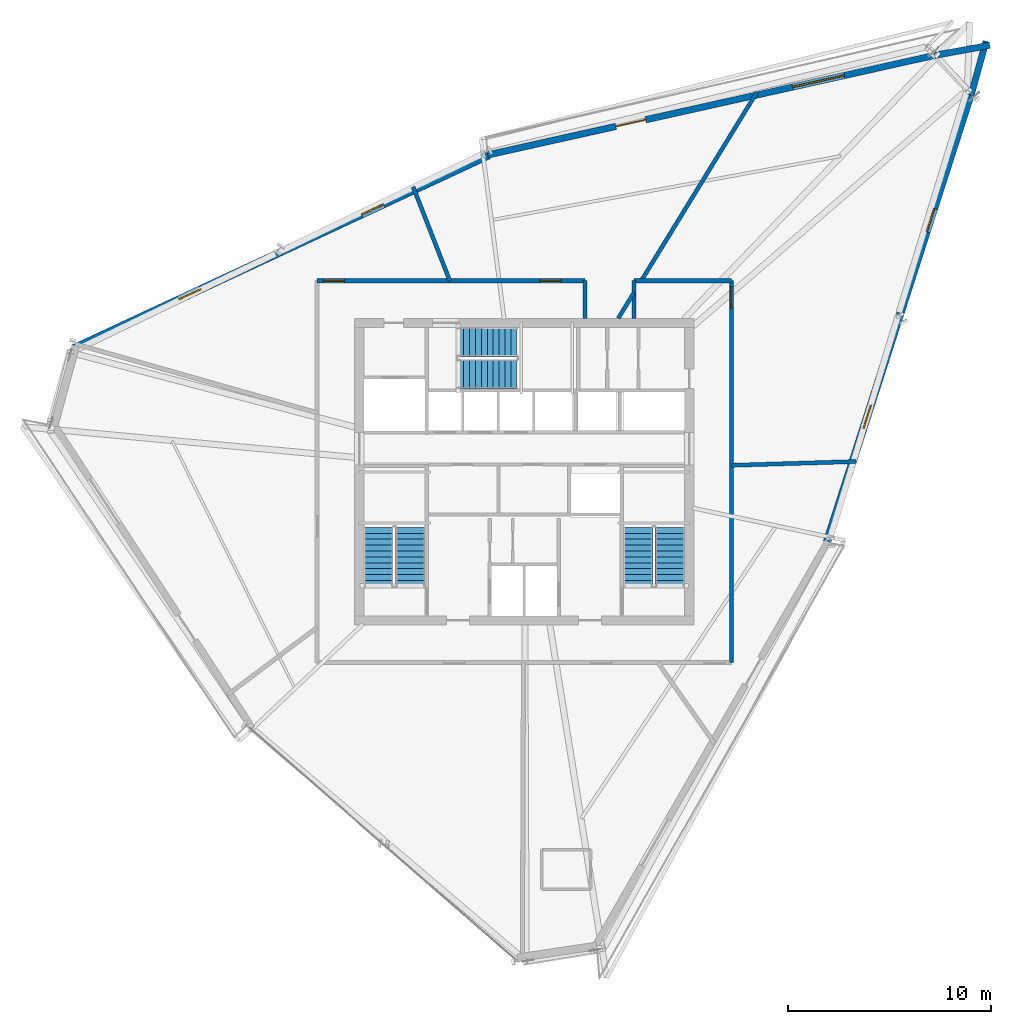
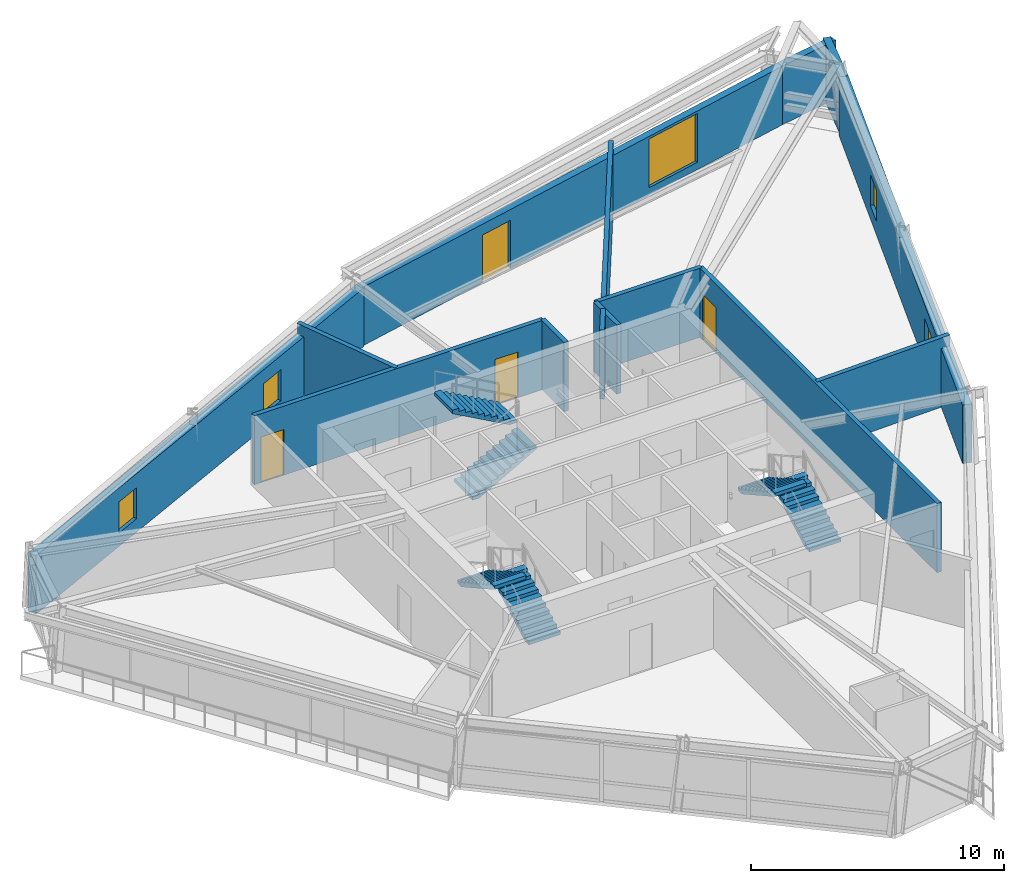
# One storey, part 10 of 13: 14 walls, 6 stair flights, 5 windows, 4 doors, 9 openings, 3 elements without a shape of their own.
"""IFC4 building model written with IfcOpenShell, lengths in metres."""

import ifcopenshell
import ifcopenshell.guid

model = None  # the IFC model being written
_history = None  # IfcOwnerHistory: only IFC2X3 demands one
_inside = {}  # id of a spatial element -> (the spatial element, [elements in it])
_under = {}  # id of a project, library or spatial element -> (it, [spatial elements below it])
_declared = {}  # id of a project -> (the project, [libraries it declares])
_typed = {}  # id of a type object -> (the type object, [elements of that type])
_made_of = {}  # id of a material, layer set ... -> (it, [elements and type objects made of it])


def new_model(schema):
    """Start an empty IFC model of exactly this schema.

    Asked for "IFC4X3", IfcOpenShell would pick the latest addendum, in which some entities
    have other attributes; the version numbers below select the first issue.
    IFC2X3 requires an IfcOwnerHistory on every rooted entity: one is made here for all.
    """
    global model, _history
    if schema == "IFC4X3":
        model = ifcopenshell.file(schema_version=(4, 3, 0, 0))
    else:
        model = ifcopenshell.file(schema=schema)
    _inside.clear()
    _under.clear()
    _declared.clear()
    _typed.clear()
    _made_of.clear()
    _history = None
    if model.schema == "IFC2X3":
        org = make("IfcOrganization", Name="unknown")
        user = make(
            "IfcPersonAndOrganization",
            ThePerson=make("IfcPerson", FamilyName="unknown"),
            TheOrganization=org,
        )
        app = make(
            "IfcApplication",
            ApplicationDeveloper=org,
            Version="unknown",
            ApplicationFullName="unknown",
            ApplicationIdentifier="unknown",
        )
        _history = make(
            "IfcOwnerHistory",
            OwningUser=user,
            OwningApplication=app,
            ChangeAction="ADDED",
            CreationDate=0,
        )
    return model


def make(cls, **values):
    """One entity of the class cls with the attributes given. An attribute that is None is left unset."""
    return model.create_entity(
        cls, **{name: value for name, value in values.items() if value is not None}
    )


def rooted(cls, **values):
    """An entity with a GlobalId (a new one), such as an element, a storey or a relation."""
    return make(cls, GlobalId=ifcopenshell.guid.new(), OwnerHistory=_history, **values)


def si_unit(unit_type, name, prefix=None):
    """IfcSIUnit, for example si_unit("LENGTHUNIT", "METRE", prefix="MILLI")."""
    return make("IfcSIUnit", UnitType=unit_type, Prefix=prefix, Name=name)


def assignment(units):
    """IfcUnitAssignment: the units of a project."""
    return None if units is None else make("IfcUnitAssignment", Units=units)


def point(xyz):
    """IfcCartesianPoint."""
    return None if xyz is None else make("IfcCartesianPoint", Coordinates=xyz)


def direction(xyz):
    """IfcDirection."""
    return None if xyz is None else make("IfcDirection", DirectionRatios=xyz)


def frame(location, z_axis=None, x_axis=None):
    """IfcAxis2Placement3D, a coordinate frame: its origin and axes. An axis left out is left unset."""
    return make(
        "IfcAxis2Placement3D",
        Location=point(location),
        Axis=direction(z_axis),
        RefDirection=direction(x_axis),
    )


def frame_2d(location, x_axis=None):
    """IfcAxis2Placement2D, a coordinate frame in the plane: its origin and x axis."""
    return make(
        "IfcAxis2Placement2D", Location=point(location), RefDirection=direction(x_axis)
    )


def origin():
    """The frame at (0, 0, 0) with its axes left unset."""
    return frame((0.0, 0.0, 0.0))


def place(relative_to, where):
    """IfcLocalPlacement: puts the frame where relative to a parent placement (None: the world)."""
    return make(
        "IfcLocalPlacement", PlacementRelTo=relative_to, RelativePlacement=where
    )


def context(
    kind, dimensions, precision=None, world=None, true_north=None, identifier=None
):
    """IfcGeometricRepresentationContext, for example the 3D "Model" context."""
    return make(
        "IfcGeometricRepresentationContext",
        ContextIdentifier=identifier,
        ContextType=kind,
        CoordinateSpaceDimension=dimensions,
        Precision=precision,
        WorldCoordinateSystem=world,
        TrueNorth=true_north,
    )


def subcontext(parent, identifier, kind, view, scale=None):
    """IfcGeometricRepresentationSubContext, for example "Body" below "Model"."""
    return make(
        "IfcGeometricRepresentationSubContext",
        ContextIdentifier=identifier,
        ContextType=kind,
        ParentContext=parent,
        TargetScale=scale,
        TargetView=view,
    )


def project(units=None, contexts=None):
    """IfcProject with its units and contexts."""
    return rooted(
        "IfcProject",
        Name="project",
        RepresentationContexts=contexts,
        UnitsInContext=assignment(units),
    )


def spatial(cls, under=None, at=None, **own):
    """A site, building, storey or space (cls), placed at a placement, below another one or the project."""
    s = rooted(cls, ObjectPlacement=at, **own)
    if under is not None:
        _under.setdefault(under.id(), (under, []))[1].append(s)
    return s


def polyline(points):
    """IfcPolyline through the points."""
    return make("IfcPolyline", Points=[point(p) for p in points])


def profile(cls, at=None, kind="AREA", **sizes):
    """A parametric profile (cls). Its sizes go by their IFC names, for example OverallWidth=200.0."""
    return make(cls, ProfileType=kind, Position=at, **sizes)


def rectangle(**sizes):
    """IfcRectangleProfileDef."""
    return profile("IfcRectangleProfileDef", **sizes)


def outline(outer, holes=None, kind="AREA"):
    """IfcArbitraryClosedProfileDef: a profile drawn as a closed curve; with holes, ...WithVoids."""
    if holes is None:
        return make("IfcArbitraryClosedProfileDef", ProfileType=kind, OuterCurve=outer)
    return make(
        "IfcArbitraryProfileDefWithVoids",
        ProfileType=kind,
        OuterCurve=outer,
        InnerCurves=holes,
    )


def extrude(swept, where, along, depth):
    """IfcExtrudedAreaSolid: the profile swept, set in the frame where, extruded along a direction by depth."""
    return make(
        "IfcExtrudedAreaSolid",
        SweptArea=swept,
        Position=where,
        ExtrudedDirection=direction(along),
        Depth=depth,
    )


def shape(context_of_items, identifier, shape_type, items):
    """IfcShapeRepresentation: the items that make up one representation, for example the "Body"."""
    return make(
        "IfcShapeRepresentation",
        ContextOfItems=context_of_items,
        RepresentationIdentifier=identifier,
        RepresentationType=shape_type,
        Items=items,
    )


def source(mapping_origin, context_of_items, identifier, shape_type, items):
    """IfcRepresentationMap: a shape defined once, which mapped items show again and again."""
    return make(
        "IfcRepresentationMap",
        MappingOrigin=mapping_origin,
        MappedRepresentation=shape(context_of_items, identifier, shape_type, items),
    )


def transform(
    local_origin,
    x_axis=None,
    y_axis=None,
    z_axis=None,
    scale=None,
    scale2=None,
    scale3=None,
    uniform=True,
):
    """IfcCartesianTransformationOperator3D, or its non-uniform kind. x_axis, y_axis, z_axis: its Axis1, 2, 3."""
    if uniform:
        return make(
            "IfcCartesianTransformationOperator3D",
            Axis1=direction(x_axis),
            Axis2=direction(y_axis),
            LocalOrigin=point(local_origin),
            Scale=scale,
            Axis3=direction(z_axis),
        )
    return make(
        "IfcCartesianTransformationOperator3DnonUniform",
        Axis1=direction(x_axis),
        Axis2=direction(y_axis),
        LocalOrigin=point(local_origin),
        Scale=scale,
        Axis3=direction(z_axis),
        Scale2=scale2,
        Scale3=scale3,
    )


def mapped(mapping_source, mapping_target):
    """IfcMappedItem: shows the shape of a source again, moved by a transform."""
    return make(
        "IfcMappedItem", MappingSource=mapping_source, MappingTarget=mapping_target
    )


def material(Name=None, Category=None):
    """IfcMaterial."""
    return make("IfcMaterial", Name=Name, Category=Category)


def layer(
    of_material, thickness, ventilated=None, Name=None, Category=None, Priority=None
):
    """IfcMaterialLayer: one layer of a wall or slab, of a material (None: an air gap)."""
    return make(
        "IfcMaterialLayer",
        Material=of_material,
        LayerThickness=thickness,
        IsVentilated=ventilated,
        Name=Name,
        Category=Category,
        Priority=Priority,
    )


def layer_set(layers, Name=None):
    """IfcMaterialLayerSet."""
    return make("IfcMaterialLayerSet", MaterialLayers=layers, LayerSetName=Name)


def made_of(thing, what):
    """Note that an element or type object is made of a material, layer set ...; save() writes the relation."""
    if what is not None:
        _made_of.setdefault(what.id(), (what, []))[1].append(thing)
    return thing


def type_object(cls, material=None, **own):
    """A type object (cls), such as IfcWallType, which elements share."""
    return made_of(rooted(cls, **own), material)


def type_shapes(of_type, sources):
    """Give a type object the sources (RepresentationMaps) that its elements show as mapped items."""
    of_type.RepresentationMaps = sources


def element(
    cls,
    number,
    at=None,
    inside=None,
    cuts=None,
    type_object=None,
    material=None,
    context=None,
    identifier="Body",
    shape_type=None,
    held_by="IfcProductDefinitionShape",
    body=None,
    shapes=None,
    **own,
):
    """One element of the class cls, such as IfcWall. Its Tag is "e" and its number.

    at: its placement. inside: the storey or other place that contains it. cuts: it is an
    opening in that element (IfcRelVoidsElement). A single representation is given by context,
    identifier, shape_type and body (its items); several are given by shapes. held_by: the class
    of the entity that holds the representations. save() writes the other relations.
    """
    e = rooted(cls, Tag="e%d" % number, ObjectPlacement=at, **own)
    if body is not None:
        shapes = [shape(context, identifier, shape_type, body)]
    if shapes is not None:
        e.Representation = make(held_by, Representations=shapes)
    if inside is not None:
        _inside.setdefault(inside.id(), (inside, []))[1].append(e)
    if cuts is not None:
        rooted(
            "IfcRelVoidsElement", RelatingBuildingElement=cuts, RelatedOpeningElement=e
        )
    if type_object is not None:
        _typed.setdefault(type_object.id(), (type_object, []))[1].append(e)
    return made_of(e, material)


def fill(opening, filler):
    """IfcRelFillsElement: the door or window that sits in an opening."""
    return rooted(
        "IfcRelFillsElement",
        RelatingOpeningElement=opening,
        RelatedBuildingElement=filler,
    )


def aggregate(whole, parts):
    """IfcRelAggregates: a whole, such as a stair, and the parts it consists of."""
    return rooted("IfcRelAggregates", RelatingObject=whole, RelatedObjects=parts)


def save(model, path):
    """Write the relations noted so far, then the file.

    IfcRelAggregates (storeys below a building ...), IfcRelContainedInSpatialStructure (elements
    in a storey), IfcRelDefinesByType, IfcRelAssociatesMaterial and IfcRelDeclares: one each for
    every whole, place, type object, material and project.
    """
    for whole, parts in _under.values():
        aggregate(whole, parts)
    for where, things in _inside.values():
        rooted(
            "IfcRelContainedInSpatialStructure",
            RelatedElements=things,
            RelatingStructure=where,
        )
    for kind, things in _typed.values():
        rooted("IfcRelDefinesByType", RelatedObjects=things, RelatingType=kind)
    for what, things in _made_of.values():
        rooted("IfcRelAssociatesMaterial", RelatedObjects=things, RelatingMaterial=what)
    for by, libraries in _declared.values():
        rooted("IfcRelDeclares", RelatingContext=by, RelatedDefinitions=libraries)
    model.write(path)


model = new_model("IFC4")

# Units and contexts
model_context = context("Model", 3, precision=1e-05, world=origin(), true_north=direction((0.0, 1.0)))
body_context = subcontext(model_context, "Body", "Model", "MODEL_VIEW")
ifc_project = project(units=[si_unit("LENGTHUNIT", "METRE"), si_unit("AREAUNIT", "SQUARE_METRE"), si_unit("VOLUMEUNIT", "CUBIC_METRE"), si_unit("PLANEANGLEUNIT", "RADIAN"), si_unit("MASSUNIT", "GRAM", prefix="KILO")], contexts=[model_context])

# Site, building, storey
site_placement = place(None, origin())
site = spatial("IfcSite", under=ifc_project, at=site_placement, CompositionType="ELEMENT")
building_placement = place(site_placement, origin())
building = spatial("IfcBuilding", under=site, at=building_placement, Name="Olszyna Solenne Hotel", CompositionType="ELEMENT")
storey_placement = place(building_placement, frame((0.0, 0.0, 209.60009765625)))
storey = spatial("IfcBuildingStorey", under=building, at=storey_placement, Name="L55", CompositionType="ELEMENT", Elevation=209.60009765625)

# Wall, openings, door, window
ifc_material_1 = material(Name="Precast concrete C45/55", Category="concrete")
ifc_layer_1 = layer(ifc_material_1, 0.320068359375, Name="Precast concrete C45/55")
ifc_layer_set_1 = layer_set([ifc_layer_1], Name="Precast concrete C45/55")
wall_type_1 = type_object("IfcWallType", Name="WL-EX320", PredefinedType="SOLIDWALL", material=ifc_layer_set_1)
wall_1_placement = place(storey_placement, frame((36.204833984375, 42.193359375, 0.0), z_axis=(0.0, 0.0, 1.0), x_axis=(0.976051796761, 0.217538249599, 0.0)))
wall_1 = element("IfcWall", 1, at=wall_1_placement, inside=storey, type_object=wall_type_1, Name="Exterior terracotta-precast frame wall WL-EX320 EW-L55-07", PredefinedType="SOLIDWALL", context=body_context, shape_type="SweptSolid", body=[
    extrude(rectangle(XDim=22.5400390625, YDim=0.320068359375, at=frame_2d((11.27001953125, 0.0))), origin(), (0.0, 0.0, 1.0), 2.822021484375),
])
opening_1_placement = place(wall_1_placement, frame((6.462890625, 0.0, 0.0)))
opening_1 = element("IfcOpeningElement", 2, at=opening_1_placement, cuts=wall_1, Name="Opening LDG-L55-1", PredefinedType="OPENING", context=body_context, shape_type="SweptSolid", body=[
    extrude(rectangle(XDim=1.5, YDim=2.300048828125, at=frame_2d((0.75, 1.14990234375))), frame((0.0, 0.169921875, 0.0), z_axis=(0.0, -1.0, 0.0), x_axis=(1.0, 0.0, 0.0)), (0.0, 0.0, 1.0), 0.340087890625),
])
opening_2_placement = place(wall_1_placement, frame((15.3798828125, 0.0, 0.35205078125)))
opening_2 = element("IfcOpeningElement", 3, at=opening_2_placement, cuts=wall_1, Name="Opening WN-L55-354", PredefinedType="OPENING", context=body_context, shape_type="SweptSolid", body=[
    extrude(rectangle(XDim=2.60009765625, YDim=2.35009765625, at=frame_2d((1.300048828125, 1.175048828125))), frame((0.0, 0.169921875, 0.0), z_axis=(0.0, -1.0, 0.0), x_axis=(1.0, 0.0, 0.0)), (0.0, 0.0, 1.0), 0.340087890625),
])
ifc_material_2 = material(Name="Anodised bronze aluminium", Category="aluminium")
door_type_1 = type_object("IfcDoorType", Name="DR-LG2", OperationType="DOUBLE_DOOR_SINGLE_SWING", PredefinedType="DOOR", material=ifc_material_2)
shared_shape_1 = source(origin(), body_context, "Body", "SweptSolid", [
    extrude(rectangle(XDim=1.5, YDim=2.300048828125, at=frame_2d((0.75, 1.14990234375))), frame((0.0, 0.02490234375, 0.0), z_axis=(0.0, -1.0, 0.0), x_axis=(1.0, 0.0, 0.0)), (0.0, 0.0, 1.0), 0.050048828125),
])
type_shapes(door_type_1, [shared_shape_1])
door_1_placement = place(opening_1_placement, origin())
door_1 = element("IfcDoor", 4, at=door_1_placement, inside=storey, type_object=door_type_1, Name="Exterior loggia balcony door DR-LG2 LDG-L55-1", OperationType="DOUBLE_DOOR_SINGLE_SWING", OverallHeight=2.300048828125, OverallWidth=1.5, PredefinedType="DOOR", context=body_context, shape_type="MappedRepresentation", body=[
    mapped(shared_shape_1, transform((0.0, 0.0, 0.0), x_axis=(1.0, 0.0, 0.0), y_axis=(0.0, 1.0, 0.0), z_axis=(0.0, 0.0, 1.0), scale=1.0)),
])
fill(opening_1, door_1)
ifc_material_3 = material(Name="Low-E triple glazing", Category="glass")
window_type_1 = type_object("IfcWindowType", Name="WN-ST1", PartitioningType="SINGLE_PANEL", PredefinedType="WINDOW", material=ifc_material_3)
shared_shape_2 = source(origin(), body_context, "Body", "SweptSolid", [
    extrude(rectangle(XDim=2.60009765625, YDim=2.35009765625, at=frame_2d((1.300048828125, 1.175048828125))), frame((0.0, 0.030029296875, 0.0), z_axis=(0.0, -1.0, 0.0), x_axis=(1.0, 0.0, 0.0)), (0.0, 0.0, 1.0), 0.06005859375),
])
type_shapes(window_type_1, [shared_shape_2])
window_1_placement = place(opening_2_placement, origin())
window_1 = element("IfcWindow", 5, at=window_1_placement, inside=storey, type_object=window_type_1, Name="Loggia room window WN-ST1 WN-L55-354", OverallHeight=2.35009765625, OverallWidth=2.60009765625, PartitioningType="SINGLE_PANEL", PredefinedType="WINDOW", context=body_context, shape_type="MappedRepresentation", body=[
    mapped(shared_shape_2, transform((0.0, 0.0, 0.0), x_axis=(1.0, 0.0, 0.0), y_axis=(0.0, 1.0, 0.0), z_axis=(0.0, 0.0, 1.0), scale=1.0)),
])
fill(opening_2, window_1)

# Walls
for number, where, z_axis, x_axis, name in (
    (6, (58.198974609375, 47.095703125, 0.0), (0.0, 0.0, 1.0), (0.983665053962, 0.180008504282, 0.0), "Exterior terracotta-precast frame wall WL-EX320 EW-L55-08"),
    (7, (60.744140625, 47.794921875, 0.0), (0.0, 0.0, 1.0), (-0.26671305421, -0.963775983678, 0.0), "Exterior terracotta-precast frame wall WL-EX320 EW-L55-09"),
):
    element("IfcWall", number, at=place(storey_placement, frame(where, z_axis=z_axis, x_axis=x_axis)), inside=storey, type_object=wall_type_1, Name=name, PredefinedType="SOLIDWALL", context=body_context, shape_type="SweptSolid", body=[
        extrude(rectangle(XDim=2.773681640625, YDim=0.320068359375, at=frame_2d((1.38671875, 0.0))), origin(), (0.0, 0.0, 1.0), 2.822021484375),
    ])

# Wall, openings, windows
ifc_material_4 = material(Name="Terracotta cladding on precast concrete C45/55", Category="masonry")
ifc_layer_2 = layer(ifc_material_4, 0.3798828125, Name="Terracotta cladding on precast concrete C45/55")
ifc_layer_set_2 = layer_set([ifc_layer_2], Name="Terracotta cladding on precast concrete C45/55")
wall_type_2 = type_object("IfcWallType", Name="WL-EX380", PredefinedType="SOLIDWALL", material=ifc_layer_set_2)
wall_2_placement = place(storey_placement, frame((15.8125, 32.672119140625, 0.0), z_axis=(0.0, 0.0, 1.0), x_axis=(0.906732766682, 0.421705691003, 0.0)))
wall_2 = element("IfcWall", 8, at=wall_2_placement, inside=storey, type_object=wall_type_2, Name="Exterior terracotta-precast frame wall WL-EX380 EW-L55-06", PredefinedType="SOLIDWALL", context=body_context, shape_type="SweptSolid", body=[
    extrude(rectangle(XDim=22.539794921875, YDim=0.3798828125, at=frame_2d((11.27001953125, 0.0))), origin(), (0.0, 0.0, 1.0), 2.822021484375),
])
opening_3_placement = place(wall_2_placement, frame((5.7109375, 0.0, 0.64990234375)))
opening_3 = element("IfcOpeningElement", 9, at=opening_3_placement, cuts=wall_2, Name="Opening WN-L55-352", PredefinedType="OPENING", context=body_context, shape_type="SweptSolid", body=[
    extrude(rectangle(XDim=1.199951171875, YDim=1.5, at=frame_2d((0.60009765625, 0.75))), frame((0.0, 0.199951171875, 0.0), z_axis=(0.0, -1.0, 0.0), x_axis=(1.0, 0.0, 0.0)), (0.0, 0.0, 1.0), 0.39990234375),
])
opening_4_placement = place(wall_2_placement, frame((15.62890625, 0.0, 0.64990234375)))
opening_4 = element("IfcOpeningElement", 10, at=opening_4_placement, cuts=wall_2, Name="Opening WN-L55-353", PredefinedType="OPENING", context=body_context, shape_type="SweptSolid", body=[
    extrude(rectangle(XDim=1.199951171875, YDim=1.5, at=frame_2d((0.60009765625, 0.75))), frame((0.0, 0.199951171875, 0.0), z_axis=(0.0, -1.0, 0.0), x_axis=(1.0, 0.0, 0.0)), (0.0, 0.0, 1.0), 0.39990234375),
])
window_type_2 = type_object("IfcWindowType", Name="WN-B1", PartitioningType="SINGLE_PANEL", PredefinedType="WINDOW", material=ifc_material_3)
shared_shape_3 = source(origin(), body_context, "Body", "SweptSolid", [
    extrude(rectangle(XDim=1.199951171875, YDim=1.5, at=frame_2d((0.60009765625, 0.75))), frame((0.0, 0.030029296875, 0.0), z_axis=(0.0, -1.0, 0.0), x_axis=(1.0, 0.0, 0.0)), (0.0, 0.0, 1.0), 0.06005859375),
])
type_shapes(window_type_2, [shared_shape_3])
window_2_placement = place(opening_3_placement, origin())
window_2 = element("IfcWindow", 11, at=window_2_placement, inside=storey, type_object=window_type_2, Name="Exterior facade window WN-B1 WN-L55-352", OverallHeight=1.5, OverallWidth=1.199951171875, PartitioningType="SINGLE_PANEL", PredefinedType="WINDOW", context=body_context, shape_type="MappedRepresentation", body=[
    mapped(shared_shape_3, transform((0.0, 0.0, 0.0), x_axis=(1.0, 0.0, 0.0), y_axis=(0.0, 1.0, 0.0), z_axis=(0.0, 0.0, 1.0), scale=1.0)),
])
fill(opening_3, window_2)
window_3_placement = place(opening_4_placement, origin())
window_3 = element("IfcWindow", 12, at=window_3_placement, inside=storey, type_object=window_type_2, Name="Exterior facade window WN-B1 WN-L55-353", OverallHeight=1.5, OverallWidth=1.199951171875, PartitioningType="SINGLE_PANEL", PredefinedType="WINDOW", context=body_context, shape_type="MappedRepresentation", body=[
    mapped(shared_shape_3, transform((0.0, 0.0, 0.0), x_axis=(1.0, 0.0, 0.0), y_axis=(0.0, 1.0, 0.0), z_axis=(0.0, 0.0, 1.0), scale=1.0)),
])
fill(opening_4, window_3)

wall_3_placement = place(storey_placement, frame((59.977783203125, 45.13720703125, 0.0), z_axis=(0.0, 0.0, 1.0), x_axis=(-0.305908606636, -0.95206088271, 0.0)))
wall_3 = element("IfcWall", 13, at=wall_3_placement, inside=storey, type_object=wall_type_2, Name="Exterior terracotta-precast frame wall WL-EX380 EW-L55-10", PredefinedType="SOLIDWALL", context=body_context, shape_type="SweptSolid", body=[
    extrude(rectangle(XDim=23.10205078125, YDim=0.3798828125, at=frame_2d((11.551025390625, 0.0))), origin(), (0.0, 0.0, 1.0), 2.822021484375),
])
opening_5_placement = place(wall_3_placement, frame((5.868896484375, 0.0, 0.64990234375)))
opening_5 = element("IfcOpeningElement", 14, at=opening_5_placement, cuts=wall_3, Name="Opening WN-L55-355", PredefinedType="OPENING", context=body_context, shape_type="SweptSolid", body=[
    extrude(rectangle(XDim=1.199951171875, YDim=1.5, at=frame_2d((0.60009765625, 0.75))), frame((0.0, 0.199951171875, 0.0), z_axis=(0.0, -1.0, 0.0), x_axis=(1.0, 0.0, 0.0)), (0.0, 0.0, 1.0), 0.39990234375),
])
opening_6_placement = place(wall_3_placement, frame((16.033935546875, 0.0, 0.64990234375)))
opening_6 = element("IfcOpeningElement", 15, at=opening_6_placement, cuts=wall_3, Name="Opening WN-L55-356", PredefinedType="OPENING", context=body_context, shape_type="SweptSolid", body=[
    extrude(rectangle(XDim=1.199951171875, YDim=1.5, at=frame_2d((0.60009765625, 0.75))), frame((0.0, 0.199951171875, 0.0), z_axis=(0.0, -1.0, 0.0), x_axis=(1.0, 0.0, 0.0)), (0.0, 0.0, 1.0), 0.39990234375),
])
window_4_placement = place(opening_5_placement, origin())
window_4 = element("IfcWindow", 16, at=window_4_placement, inside=storey, type_object=window_type_2, Name="Exterior facade window WN-B1 WN-L55-355", OverallHeight=1.5, OverallWidth=1.199951171875, PartitioningType="SINGLE_PANEL", PredefinedType="WINDOW", context=body_context, shape_type="MappedRepresentation", body=[
    mapped(shared_shape_3, transform((0.0, 0.0, 0.0), x_axis=(1.0, 0.0, 0.0), y_axis=(0.0, 1.0, 0.0), z_axis=(0.0, 0.0, 1.0), scale=1.0)),
])
fill(opening_5, window_4)
window_5_placement = place(opening_6_placement, origin())
window_5 = element("IfcWindow", 17, at=window_5_placement, inside=storey, type_object=window_type_2, Name="Exterior facade window WN-B1 WN-L55-356", OverallHeight=1.5, OverallWidth=1.199951171875, PartitioningType="SINGLE_PANEL", PredefinedType="WINDOW", context=body_context, shape_type="MappedRepresentation", body=[
    mapped(shared_shape_3, transform((0.0, 0.0, 0.0), x_axis=(1.0, 0.0, 0.0), y_axis=(0.0, 1.0, 0.0), z_axis=(0.0, 0.0, 1.0), scale=1.0)),
])
fill(opening_6, window_5)

# Walls
ifc_material_5 = material(Name="Acoustic gypsum partition", Category="gypsum")
ifc_layer_3 = layer(ifc_material_5, 0.199951171875, Name="Acoustic gypsum partition")
ifc_layer_set_3 = layer_set([ifc_layer_3], Name="Acoustic gypsum partition")
wall_type_3 = type_object("IfcWallType", Name="WL-PT200", PredefinedType="PARTITIONING", material=ifc_layer_set_3)
wall_4_placement = place(storey_placement, frame((48.199951171875, 26.90966796875, 0.0), z_axis=(0.0, 0.0, 1.0), x_axis=(0.999539065052, 0.030358811481, 0.0)))
element("IfcWall", 18, at=wall_4_placement, inside=storey, type_object=wall_type_3, Name="Interior acoustic partition WL-PT200 PW-L55-3072", PredefinedType="PARTITIONING", context=body_context, shape_type="SweptSolid", body=[
    extrude(rectangle(XDim=6.152099609375, YDim=0.199951171875, at=frame_2d((3.076171875, 0.0))), origin(), (0.0, 0.0, 1.0), 3.329833984375),
])
wall_5_placement = place(storey_placement, frame((42.630615234375, 34.14990234375, 0.0), z_axis=(0.0, 0.0, 1.0), x_axis=(0.522717649011, 0.852505870603, 0.0)))
element("IfcWall", 19, at=wall_5_placement, inside=storey, type_object=wall_type_3, Name="Interior acoustic partition WL-PT200 PW-L55-3073", PredefinedType="PARTITIONING", context=body_context, shape_type="SweptSolid", body=[
    extrude(rectangle(XDim=1.4716796875, YDim=0.199951171875, at=frame_2d((0.73583984375, 0.0))), origin(), (0.0, 0.0, 1.0), 3.329833984375),
])
wall_6_placement = place(storey_placement, frame((43.76513671875, 36.0, 0.0), z_axis=(0.0, 0.0, 1.0), x_axis=(0.522828119017, 0.852438125593, 0.0)))
element("IfcWall", 20, at=wall_6_placement, inside=storey, type_object=wall_type_3, Name="Interior acoustic partition WL-PT200 PW-L55-3074", PredefinedType="PARTITIONING", context=body_context, shape_type="SweptSolid", body=[
    extrude(rectangle(XDim=10.88671875, YDim=0.199951171875, at=frame_2d((5.443359375, 0.0))), origin(), (0.0, 0.0, 1.0), 3.329833984375),
])
wall_7_placement = place(storey_placement, frame((34.334228515625, 36.0, 0.0), z_axis=(0.0, 0.0, 1.0), x_axis=(-0.363319658623, 0.93166454567, 0.0)))
element("IfcWall", 21, at=wall_7_placement, inside=storey, type_object=wall_type_3, Name="Interior acoustic partition WL-PT200 PW-L55-3075", PredefinedType="PARTITIONING", context=body_context, shape_type="SweptSolid", body=[
    extrude(rectangle(XDim=4.963134765625, YDim=0.199951171875, at=frame_2d((2.4814453125, 0.0))), origin(), (0.0, 0.0, 1.0), 3.329833984375),
])

# Wall, openings, doors
wall_8_placement = place(storey_placement, frame((27.800048828125, 36.0, 0.0), z_axis=(0.0, 0.0, 1.0), x_axis=(1.0, 0.0, 0.0)))
wall_8 = element("IfcWall", 22, at=wall_8_placement, inside=storey, type_object=wall_type_3, Name="Interior acoustic partition WL-PT200 PW-L55-3085", PredefinedType="PARTITIONING", context=body_context, shape_type="SweptSolid", body=[
    extrude(rectangle(XDim=13.199951171875, YDim=0.199951171875, at=frame_2d((6.60009765625, 0.0))), origin(), (0.0, 0.0, 1.0), 3.329833984375),
])
opening_7_placement = place(wall_8_placement, frame((10.971923828125, 0.0, 0.0)))
opening_7 = element("IfcOpeningElement", 23, at=opening_7_placement, cuts=wall_8, Name="Opening DR-L55-0751", PredefinedType="OPENING", context=body_context, shape_type="SweptSolid", body=[
    extrude(rectangle(XDim=1.050048828125, YDim=2.199951171875, at=frame_2d((0.52490234375, 1.10009765625))), frame((0.0, 0.10986328125, 0.0), z_axis=(0.0, -1.0, 0.0), x_axis=(1.0, 0.0, 0.0)), (0.0, 0.0, 1.0), 0.219970703125),
])
opening_8_placement = place(wall_8_placement, frame((0.300048828125, 0.0, 0.0)))
opening_8 = element("IfcOpeningElement", 24, at=opening_8_placement, cuts=wall_8, Name="Opening DR-L55-0752", PredefinedType="OPENING", context=body_context, shape_type="SweptSolid", body=[
    extrude(rectangle(XDim=1.050048828125, YDim=2.199951171875, at=frame_2d((0.52490234375, 1.10009765625))), frame((0.0, 0.10986328125, 0.0), z_axis=(0.0, -1.0, 0.0), x_axis=(1.0, 0.0, 0.0)), (0.0, 0.0, 1.0), 0.219970703125),
])
ifc_material_6 = material(Name="Timber hardwood", Category="wood")
door_type_2 = type_object("IfcDoorType", Name="DR-RM2", OperationType="NOTDEFINED", PredefinedType="DOOR", material=ifc_material_6)
shared_shape_4 = source(origin(), body_context, "Body", "SweptSolid", [
    extrude(rectangle(XDim=1.050048828125, YDim=2.199951171875, at=frame_2d((0.52490234375, 1.10009765625))), frame((0.0, 0.02490234375, 0.0), z_axis=(0.0, -1.0, 0.0), x_axis=(1.0, 0.0, 0.0)), (0.0, 0.0, 1.0), 0.050048828125),
])
type_shapes(door_type_2, [shared_shape_4])
door_2_placement = place(opening_7_placement, origin())
door_2 = element("IfcDoor", 25, at=door_2_placement, inside=storey, type_object=door_type_2, Name="Sommelier Tasting Lounge Entrance Door DR-L55-0751", OperationType="SINGLE_SWING_RIGHT", OverallHeight=2.199951171875, OverallWidth=1.050048828125, PredefinedType="DOOR", context=body_context, shape_type="MappedRepresentation", body=[
    mapped(shared_shape_4, transform((0.0, 0.0, 0.0), x_axis=(1.0, 0.0, 0.0), y_axis=(0.0, 1.0, 0.0), z_axis=(0.0, 0.0, 1.0), scale=1.0)),
])
fill(opening_7, door_2)
door_3_placement = place(opening_8_placement, origin())
door_3 = element("IfcDoor", 26, at=door_3_placement, inside=storey, type_object=door_type_2, Name="Conference Boardroom Entrance Door DR-L55-0752", OperationType="SINGLE_SWING_LEFT", OverallHeight=2.199951171875, OverallWidth=1.050048828125, PredefinedType="DOOR", context=body_context, shape_type="MappedRepresentation", body=[
    mapped(shared_shape_4, transform((0.0, 0.0, 0.0), x_axis=(1.0, 0.0, 0.0), y_axis=(0.0, 1.0, 0.0), z_axis=(0.0, 0.0, 1.0), scale=1.0)),
])
fill(opening_8, door_3)

# Walls
wall_9_placement = place(storey_placement, frame((41.0, 34.14990234375, 0.0), z_axis=(0.0, 0.0, 1.0), x_axis=(0.0, 1.0, 0.0)))
element("IfcWall", 27, at=wall_9_placement, inside=storey, type_object=wall_type_3, Name="Interior acoustic partition WL-PT200 PW-L55-3086", PredefinedType="PARTITIONING", context=body_context, shape_type="SweptSolid", body=[
    extrude(rectangle(XDim=1.85009765625, YDim=0.199951171875, at=frame_2d((0.925048828125, 0.0))), origin(), (0.0, 0.0, 1.0), 3.329833984375),
])
wall_10_placement = place(storey_placement, frame((43.39990234375, 36.0, 0.0), z_axis=(0.0, 0.0, 1.0), x_axis=(1.0, 0.0, 0.0)))
element("IfcWall", 28, at=wall_10_placement, inside=storey, type_object=wall_type_3, Name="Interior acoustic partition WL-PT200 PW-L55-3087", PredefinedType="PARTITIONING", context=body_context, shape_type="SweptSolid", body=[
    extrude(rectangle(XDim=4.800048828125, YDim=0.199951171875, at=frame_2d((2.39990234375, 0.0))), origin(), (0.0, 0.0, 1.0), 3.329833984375),
])
wall_11_placement = place(storey_placement, frame((43.39990234375, 34.14990234375, 0.0), z_axis=(0.0, 0.0, 1.0), x_axis=(0.0, 1.0, 0.0)))
element("IfcWall", 29, at=wall_11_placement, inside=storey, type_object=wall_type_3, Name="Interior acoustic partition WL-PT200 PW-L55-3088", PredefinedType="PARTITIONING", context=body_context, shape_type="SweptSolid", body=[
    extrude(rectangle(XDim=1.85009765625, YDim=0.199951171875, at=frame_2d((0.925048828125, 0.0))), origin(), (0.0, 0.0, 1.0), 3.329833984375),
])

# Wall, opening, door
wall_12_placement = place(storey_placement, frame((48.199951171875, 17.199951171875, 0.0), z_axis=(0.0, 0.0, 1.0), x_axis=(0.0, 1.0, 0.0)))
wall_12 = element("IfcWall", 30, at=wall_12_placement, inside=storey, type_object=wall_type_3, Name="Interior acoustic partition WL-PT200 PW-L55-3089", PredefinedType="PARTITIONING", context=body_context, shape_type="SweptSolid", body=[
    extrude(rectangle(XDim=18.800048828125, YDim=0.199951171875, at=frame_2d((9.39990234375, 0.0))), origin(), (0.0, 0.0, 1.0), 3.329833984375),
])
opening_9_placement = place(wall_12_placement, frame((17.449951171875, 0.0, 0.0)))
opening_9 = element("IfcOpeningElement", 31, at=opening_9_placement, cuts=wall_12, Name="Opening DR-L55-0753", PredefinedType="OPENING", context=body_context, shape_type="SweptSolid", body=[
    extrude(rectangle(XDim=1.050048828125, YDim=2.199951171875, at=frame_2d((0.52490234375, 1.10009765625))), frame((0.0, 0.10986328125, 0.0), z_axis=(0.0, -1.0, 0.0), x_axis=(1.0, 0.0, 0.0)), (0.0, 0.0, 1.0), 0.219970703125),
])
door_4_placement = place(opening_9_placement, origin())
door_4 = element("IfcDoor", 32, at=door_4_placement, inside=storey, type_object=door_type_2, Name="Executive Club Lounge Entrance Door DR-L55-0753", OperationType="SINGLE_SWING_LEFT", OverallHeight=2.199951171875, OverallWidth=1.050048828125, PredefinedType="DOOR", context=body_context, shape_type="MappedRepresentation", body=[
    mapped(shared_shape_4, transform((0.0, 0.0, 0.0), x_axis=(1.0, 0.0, 0.0), y_axis=(0.0, 1.0, 0.0), z_axis=(0.0, 0.0, 1.0), scale=1.0)),
])
fill(opening_9, door_4)

# Stair, stair flights
ifc_material_7 = material(Name="Concrete C40/50", Category="concrete")
stair_type = type_object("IfcStairType", Name="STR-C1", PredefinedType="TWO_QUARTER_WINDING_STAIR", material=ifc_material_7)
stair_1_placement = place(storey_placement, origin())
stair_1 = element("IfcStair", 33, at=stair_1_placement, inside=storey, type_object=stair_type, Name="L55 ST1", PredefinedType="TWO_QUARTER_WINDING_STAIR")
stair_flight_type = type_object("IfcStairFlightType", Name="FLT-C1", PredefinedType="STRAIGHT", material=ifc_material_7)
stair_flight_1_placement = place(storey_placement, frame((32.39501953125, 20.949951171875, 0.0), z_axis=(0.0, 0.0, 1.0), x_axis=(0.0, 1.0, 0.0)))
stair_flight_1 = element("IfcStairFlight", 34, at=stair_flight_1_placement, type_object=stair_flight_type, Name="ST1 flight 1", NumberOfRisers=11, NumberOfTreads=10, PredefinedType="STRAIGHT", RiserHeight=0.161363636, TreadLength=0.29, context=body_context, shape_type="SweptSolid", body=[
    extrude(outline(polyline([(0.0, 0.0), (0.0, 0.161376953125), (0.2900390625, 0.161376953125), (0.2900390625, 0.32275390625), (0.580078125, 0.32275390625), (0.580078125, 0.484130859375), (0.8701171875, 0.484130859375), (0.8701171875, 0.6455078125), (1.159912109375, 0.6455078125), (1.159912109375, 0.806884765625), (1.449951171875, 0.806884765625), (1.449951171875, 0.96826171875), (1.739990234375, 0.96826171875), (1.739990234375, 1.129638671875), (2.030029296875, 1.129638671875), (2.030029296875, 1.291015625), (2.320068359375, 1.291015625), (2.320068359375, 1.452392578125), (2.610107421875, 1.452392578125), (2.610107421875, 1.613525390625), (2.89990234375, 1.613525390625), (2.89990234375, 1.77490234375), (2.89990234375, 1.442138671875), (0.308349609375, 0.0), (0.0, 0.0)])), frame((0.0, 0.72509765625, 0.0), z_axis=(0.0, -1.0, 0.0), x_axis=(1.0, 0.0, 0.0)), (0.0, 0.0, 1.0), 1.449951171875),
])
stair_flight_2_placement = place(storey_placement, frame((30.824951171875, 23.85009765625, 1.77490234375), z_axis=(0.0, 0.0, 1.0), x_axis=(0.0, -1.0, 0.0)))
stair_flight_2 = element("IfcStairFlight", 35, at=stair_flight_2_placement, type_object=stair_flight_type, Name="ST1 flight 2", NumberOfRisers=11, NumberOfTreads=10, PredefinedType="STRAIGHT", RiserHeight=0.161363636, TreadLength=0.29, context=body_context, shape_type="SweptSolid", body=[
    extrude(outline(polyline([(0.0, 0.0), (0.0, 0.161376953125), (0.2900390625, 0.161376953125), (0.2900390625, 0.32275390625), (0.580078125, 0.32275390625), (0.580078125, 0.484130859375), (0.8701171875, 0.484130859375), (0.8701171875, 0.6455078125), (1.159912109375, 0.6455078125), (1.159912109375, 0.806884765625), (1.449951171875, 0.806884765625), (1.449951171875, 0.96826171875), (1.739990234375, 0.96826171875), (1.739990234375, 1.129638671875), (2.030029296875, 1.129638671875), (2.030029296875, 1.291015625), (2.320068359375, 1.291015625), (2.320068359375, 1.452392578125), (2.610107421875, 1.452392578125), (2.610107421875, 1.613525390625), (2.89990234375, 1.613525390625), (2.89990234375, 1.77490234375), (2.89990234375, 1.442138671875), (0.308349609375, 0.0), (0.0, 0.0)])), frame((0.0, 0.72509765625, 0.0), z_axis=(0.0, -1.0, 0.0), x_axis=(1.0, 0.0, 0.0)), (0.0, 0.0, 1.0), 1.449951171875),
])
aggregate(stair_1, [stair_flight_1, stair_flight_2])

stair_2_placement = place(storey_placement, origin())
stair_2 = element("IfcStair", 36, at=stair_2_placement, inside=storey, type_object=stair_type, Name="L55 ST2", PredefinedType="TWO_QUARTER_WINDING_STAIR")
stair_flight_3_placement = place(storey_placement, frame((45.175048828125, 20.949951171875, 0.0), z_axis=(0.0, 0.0, 1.0), x_axis=(0.0, 1.0, 0.0)))
stair_flight_3 = element("IfcStairFlight", 37, at=stair_flight_3_placement, type_object=stair_flight_type, Name="ST2 flight 1", NumberOfRisers=11, NumberOfTreads=10, PredefinedType="STRAIGHT", RiserHeight=0.161363636, TreadLength=0.29, context=body_context, shape_type="SweptSolid", body=[
    extrude(outline(polyline([(0.0, 0.0), (0.0, 0.161376953125), (0.2900390625, 0.161376953125), (0.2900390625, 0.32275390625), (0.580078125, 0.32275390625), (0.580078125, 0.484130859375), (0.8701171875, 0.484130859375), (0.8701171875, 0.6455078125), (1.159912109375, 0.6455078125), (1.159912109375, 0.806884765625), (1.449951171875, 0.806884765625), (1.449951171875, 0.96826171875), (1.739990234375, 0.96826171875), (1.739990234375, 1.129638671875), (2.030029296875, 1.129638671875), (2.030029296875, 1.291015625), (2.320068359375, 1.291015625), (2.320068359375, 1.452392578125), (2.610107421875, 1.452392578125), (2.610107421875, 1.613525390625), (2.89990234375, 1.613525390625), (2.89990234375, 1.77490234375), (2.89990234375, 1.442138671875), (0.308349609375, 0.0), (0.0, 0.0)])), frame((0.0, 0.72509765625, 0.0), z_axis=(0.0, -1.0, 0.0), x_axis=(1.0, 0.0, 0.0)), (0.0, 0.0, 1.0), 1.449951171875),
])
stair_flight_4_placement = place(storey_placement, frame((43.60498046875, 23.85009765625, 1.77490234375), z_axis=(0.0, 0.0, 1.0), x_axis=(0.0, -1.0, 0.0)))
stair_flight_4 = element("IfcStairFlight", 38, at=stair_flight_4_placement, type_object=stair_flight_type, Name="ST2 flight 2", NumberOfRisers=11, NumberOfTreads=10, PredefinedType="STRAIGHT", RiserHeight=0.161363636, TreadLength=0.29, context=body_context, shape_type="SweptSolid", body=[
    extrude(outline(polyline([(0.0, 0.0), (0.0, 0.161376953125), (0.2900390625, 0.161376953125), (0.2900390625, 0.32275390625), (0.580078125, 0.32275390625), (0.580078125, 0.484130859375), (0.8701171875, 0.484130859375), (0.8701171875, 0.6455078125), (1.159912109375, 0.6455078125), (1.159912109375, 0.806884765625), (1.449951171875, 0.806884765625), (1.449951171875, 0.96826171875), (1.739990234375, 0.96826171875), (1.739990234375, 1.129638671875), (2.030029296875, 1.129638671875), (2.030029296875, 1.291015625), (2.320068359375, 1.291015625), (2.320068359375, 1.452392578125), (2.610107421875, 1.452392578125), (2.610107421875, 1.613525390625), (2.89990234375, 1.613525390625), (2.89990234375, 1.77490234375), (2.89990234375, 1.442138671875), (0.308349609375, 0.0), (0.0, 0.0)])), frame((0.0, 0.72509765625, 0.0), z_axis=(0.0, -1.0, 0.0), x_axis=(1.0, 0.0, 0.0)), (0.0, 0.0, 1.0), 1.449951171875),
])
aggregate(stair_2, [stair_flight_3, stair_flight_4])

stair_3_placement = place(storey_placement, origin())
stair_3 = element("IfcStair", 39, at=stair_3_placement, inside=storey, type_object=stair_type, Name="L55 ST3", PredefinedType="TWO_QUARTER_WINDING_STAIR")
stair_flight_5_placement = place(storey_placement, frame((34.72998046875, 31.405029296875, 0.0), z_axis=(0.0, 0.0, 1.0), x_axis=(1.0, 0.0, 0.0)))
stair_flight_5 = element("IfcStairFlight", 40, at=stair_flight_5_placement, type_object=stair_flight_type, Name="ST3 flight 1", NumberOfRisers=11, NumberOfTreads=10, PredefinedType="STRAIGHT", RiserHeight=0.161363636, TreadLength=0.29, context=body_context, shape_type="SweptSolid", body=[
    extrude(outline(polyline([(0.0, 0.0), (0.0, 0.161376953125), (0.2900390625, 0.161376953125), (0.2900390625, 0.32275390625), (0.580078125, 0.32275390625), (0.580078125, 0.484130859375), (0.8701171875, 0.484130859375), (0.8701171875, 0.6455078125), (1.159912109375, 0.6455078125), (1.159912109375, 0.806884765625), (1.449951171875, 0.806884765625), (1.449951171875, 0.96826171875), (1.739990234375, 0.96826171875), (1.739990234375, 1.129638671875), (2.030029296875, 1.129638671875), (2.030029296875, 1.291015625), (2.320068359375, 1.291015625), (2.320068359375, 1.452392578125), (2.610107421875, 1.452392578125), (2.610107421875, 1.613525390625), (2.89990234375, 1.613525390625), (2.89990234375, 1.77490234375), (2.89990234375, 1.442138671875), (0.308349609375, 0.0), (0.0, 0.0)])), frame((0.0, 0.72509765625, 0.0), z_axis=(0.0, -1.0, 0.0), x_axis=(1.0, 0.0, 0.0)), (0.0, 0.0, 1.0), 1.449951171875),
])
stair_flight_6_placement = place(storey_placement, frame((37.6298828125, 32.97509765625, 1.77490234375), z_axis=(0.0, 0.0, 1.0), x_axis=(-1.0, 0.0, 0.0)))
stair_flight_6 = element("IfcStairFlight", 41, at=stair_flight_6_placement, type_object=stair_flight_type, Name="ST3 flight 2", NumberOfRisers=11, NumberOfTreads=10, PredefinedType="STRAIGHT", RiserHeight=0.161363636, TreadLength=0.29, context=body_context, shape_type="SweptSolid", body=[
    extrude(outline(polyline([(0.0, 0.0), (0.0, 0.161376953125), (0.2900390625, 0.161376953125), (0.2900390625, 0.32275390625), (0.580078125, 0.32275390625), (0.580078125, 0.484130859375), (0.8701171875, 0.484130859375), (0.8701171875, 0.6455078125), (1.159912109375, 0.6455078125), (1.159912109375, 0.806884765625), (1.449951171875, 0.806884765625), (1.449951171875, 0.96826171875), (1.739990234375, 0.96826171875), (1.739990234375, 1.129638671875), (2.030029296875, 1.129638671875), (2.030029296875, 1.291015625), (2.320068359375, 1.291015625), (2.320068359375, 1.452392578125), (2.610107421875, 1.452392578125), (2.610107421875, 1.613525390625), (2.89990234375, 1.613525390625), (2.89990234375, 1.77490234375), (2.89990234375, 1.442138671875), (0.308349609375, 0.0), (0.0, 0.0)])), frame((0.0, 0.72509765625, 0.0), z_axis=(0.0, -1.0, 0.0), x_axis=(1.0, 0.0, 0.0)), (0.0, 0.0, 1.0), 1.449951171875),
])
aggregate(stair_3, [stair_flight_5, stair_flight_6])

save(model, "model.ifc")
